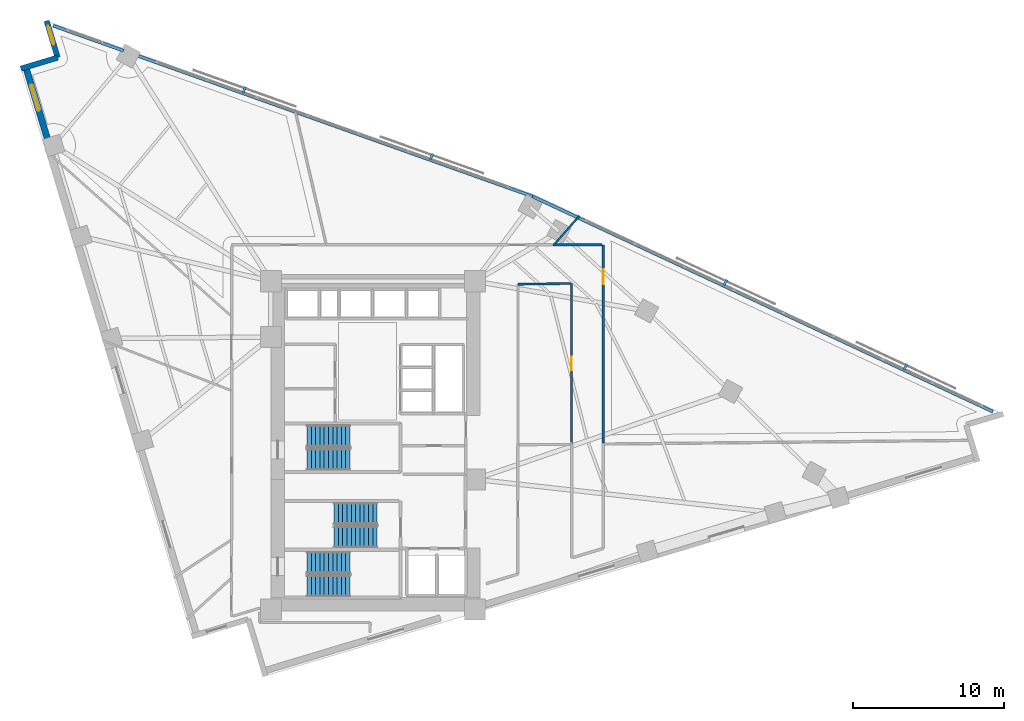
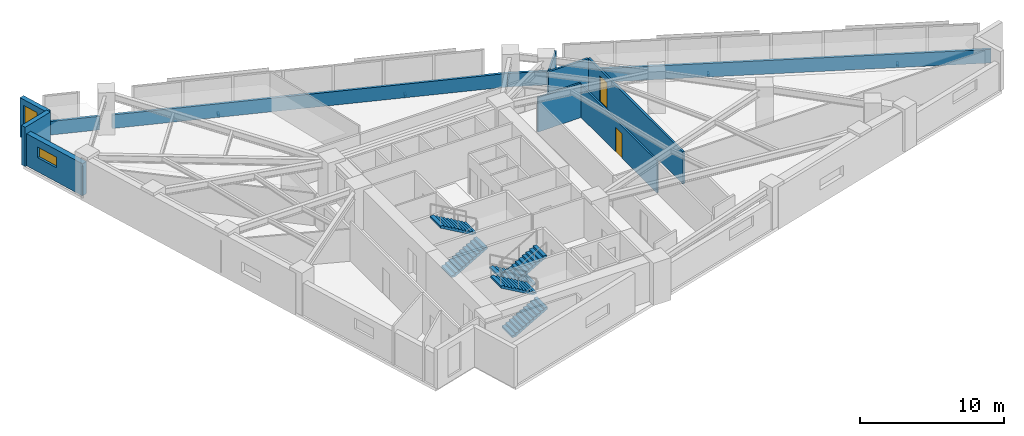
# One storey, part 13 of 15: 11 walls, 6 stair flights, 4 discrete accessories, 2 doors, 2 windows, 4 openings, 3 elements without a shape of their own.
"""IFC4 building model written with IfcOpenShell, lengths in metres."""

from ifc_helpers import new_model, si_unit, direction, frame, frame_2d, origin, origin_2d, place, context, subcontext, project, spatial, polyline, rectangle, outline, extrude, material, layer, layer_set, type_object, element, fill, aggregate, save


model = new_model("IFC4")

# Units and contexts
model_context = context("Model", 3, precision=1e-05, world=origin(), true_north=direction((0.0, 1.0)))
body_context = subcontext(model_context, "Body", "Model", "MODEL_VIEW")
ifc_project = project(units=[si_unit("LENGTHUNIT", "METRE"), si_unit("AREAUNIT", "SQUARE_METRE"), si_unit("VOLUMEUNIT", "CUBIC_METRE"), si_unit("PLANEANGLEUNIT", "RADIAN"), si_unit("MASSUNIT", "GRAM", prefix="KILO")], contexts=[model_context])

# Site, building, storey
site_placement = place(None, origin())
site = spatial("IfcSite", under=ifc_project, at=site_placement, CompositionType="ELEMENT")
building_placement = place(site_placement, origin())
building = spatial("IfcBuilding", under=site, at=building_placement, Name="Narakoshi Arena Tower", CompositionType="ELEMENT")
storey_placement = place(building_placement, frame((0.0, 0.0, 157.5)))
storey = spatial("IfcBuildingStorey", under=building, at=storey_placement, Name="L42", CompositionType="ELEMENT", Elevation=157.5)

# Wall, opening, door
ifc_material_1 = material(Name="Gypsum plasterboard fire-rated partition")
ifc_layer_1 = layer(ifc_material_1, 0.1650390625)
ifc_layer_set_1 = layer_set([ifc_layer_1], Name="Gypsum plasterboard fire-rated partition")
wall_type_1 = type_object("IfcWallType", Name="WL-CORR-165", PredefinedType="PARTITIONING", material=ifc_layer_set_1)
wall_1_placement = place(storey_placement, frame((94.061279296875, 45.7509765625, 0.0), z_axis=(0.0, 0.0, 1.0), x_axis=(0.0, 1.0, 0.0)))
wall_1 = element("IfcWall", 1, at=wall_1_placement, inside=storey, type_object=wall_type_1, Name="L42 Corridor Partition 05-1", PredefinedType="PARTITIONING", context=body_context, shape_type="SweptSolid", body=[
    extrude(rectangle(XDim=13.157958984375, YDim=0.1650390625, at=frame_2d((6.5791015625, 0.0))), origin(), (0.0, 0.0, 1.0), 2.72509765625),
])
opening_1_placement = place(wall_1_placement, frame((10.547119140625, 0.0, 0.0)))
opening_1 = element("IfcOpeningElement", 2, at=opening_1_placement, cuts=wall_1, Name="Opening D-06", PredefinedType="OPENING", context=body_context, shape_type="SweptSolid", body=[
    extrude(rectangle(XDim=1.0, YDim=2.199951171875, at=frame_2d((0.5, 1.10009765625))), frame((0.0, 0.092529296875, 0.0), z_axis=(0.0, -1.0, 0.0), x_axis=(1.0, 0.0, 0.0)), (0.0, 0.0, 1.0), 0.18505859375),
])
ifc_material_2 = material(Name="Stained oak solid-core timber", Category="wood")
door_type_1 = type_object("IfcDoorType", Name="DR-OFF-1000", OperationType="NOTDEFINED", PredefinedType="DOOR", material=ifc_material_2)
door_1_placement = place(opening_1_placement, frame((1.0, 0.0, 0.0), z_axis=(0.0, 0.0, 1.0), x_axis=(-1.0, 0.0, 0.0)))
door_1 = element("IfcDoor", 3, at=door_1_placement, inside=storey, type_object=door_type_1, Name="DR-L42-018", OperationType="SINGLE_SWING_RIGHT", OverallHeight=2.199951171875, OverallWidth=1.0, PredefinedType="DOOR", context=body_context, shape_type="SweptSolid", body=[
    extrude(rectangle(XDim=1.0, YDim=2.199951171875, at=frame_2d((0.5, 1.10009765625))), frame((0.0, 0.02490234375, 0.0), z_axis=(0.0, -1.0, 0.0), x_axis=(1.0, 0.0, 0.0)), (0.0, 0.0, 1.0), 0.050048828125),
])
fill(opening_1, door_1)

# Walls
wall_2_placement = place(storey_placement, frame((93.966796875, 58.908935546875, 0.0), z_axis=(0.0, 0.0, 1.0), x_axis=(-1.0, 0.0, 0.0)))
element("IfcWall", 4, at=wall_2_placement, inside=storey, type_object=wall_type_1, Name="L42 Corridor Partition 05-2", PredefinedType="PARTITIONING", context=body_context, shape_type="SweptSolid", body=[
    extrude(rectangle(XDim=3.230224609375, YDim=0.1650390625, at=frame_2d((1.615234375, 0.0))), origin(), (0.0, 0.0, 1.0), 2.72509765625),
])
ifc_material_3 = material(Name="Precast concrete C45/55", Category="concrete")
ifc_layer_2 = layer(ifc_material_3, 0.25)
ifc_layer_set_2 = layer_set([ifc_layer_2], Name="Precast concrete C45/55")
wall_type_2 = type_object("IfcWallType", Name="WL-PARA-250", PredefinedType="PARAPET", material=ifc_layer_set_2)
wall_3_placement = place(storey_placement, frame((119.92578125, 47.843017578125, 0.0), z_axis=(0.0, 0.0, 1.0), x_axis=(-0.905880730846, 0.423532881228, 0.0)))
element("IfcWall", 5, at=wall_3_placement, inside=storey, type_object=wall_type_2, Name="L42 Hypotenuse Sill Upstand Parapet 1-01", PredefinedType="PARAPET", context=body_context, shape_type="SweptSolid", body=[
    extrude(rectangle(XDim=33.74755859375, YDim=0.199951171875, at=frame_2d((16.873779296875, 0.0))), origin(), (0.0, 0.0, 1.0), 1.14990234375),
])
wall_4_placement = place(storey_placement, frame((89.368408203125, 62.13037109375, 0.0), z_axis=(0.0, 0.0, 1.0), x_axis=(-0.942033439765, 0.335518998515, 0.0)))
element("IfcWall", 6, at=wall_4_placement, inside=storey, type_object=wall_type_2, Name="L42 Hypotenuse Sill Upstand Parapet 2-01", PredefinedType="PARAPET", context=body_context, shape_type="SweptSolid", body=[
    extrude(rectangle(XDim=27.969482421875, YDim=0.199951171875, at=frame_2d((13.98486328125, 0.0))), origin(), (0.0, 0.0, 1.0), 1.14990234375),
])
wall_5_placement = place(storey_placement, frame((62.2177734375, 71.800537109375, 0.0), z_axis=(0.0, 0.0, 1.0), x_axis=(-0.942038862895, 0.335503771655, 0.0)))
element("IfcWall", 7, at=wall_5_placement, inside=storey, type_object=wall_type_2, Name="L42 Hypotenuse Sill Upstand Parapet 2-02", PredefinedType="PARAPET", context=body_context, shape_type="SweptSolid", body=[
    extrude(rectangle(XDim=4.941650390625, YDim=0.199951171875, at=frame_2d((2.470703125, 0.0))), origin(), (0.0, 0.0, 1.0), 1.14990234375),
])
ifc_layer_3 = layer(ifc_material_1, 0.125)
ifc_layer_set_3 = layer_set([ifc_layer_3], Name="Gypsum plasterboard fire-rated partition")
wall_type_3 = type_object("IfcWallType", Name="WL-PART-125", PredefinedType="PARTITIONING", material=ifc_layer_set_3)
wall_6_placement = place(storey_placement, frame((90.867919921875, 59.00341796875, 0.0), z_axis=(0.0, 0.0, 1.0), x_axis=(0.659714872629, 0.751515992399, 0.0)))
element("IfcWall", 8, at=wall_6_placement, inside=storey, type_object=wall_type_3, Name="L42 Inter-Room Partition 05-07", PredefinedType="PARTITIONING", context=body_context, shape_type="SweptSolid", body=[
    extrude(rectangle(XDim=2.45458984375, YDim=0.125, at=frame_2d((1.227294921875, 0.0))), origin(), (0.0, 0.0, 1.0), 2.72509765625),
])

# Wall, opening, window
ifc_layer_4 = layer(ifc_material_3, 0.419921875)
ifc_layer_set_4 = layer_set([ifc_layer_4], Name="Precast concrete C45/55")
wall_type_4 = type_object("IfcWallType", Name="WL-POD-420", PredefinedType="SOLIDWALL", material=ifc_layer_set_4)
wall_7_placement = place(storey_placement, frame((55.734130859375, 70.71142578125, 0.0), z_axis=(0.0, 0.0, 1.0), x_axis=(0.288221590884, -0.957563739157, 0.0)))
wall_7 = element("IfcWall", 9, at=wall_7_placement, inside=storey, type_object=wall_type_4, Name="L42 Architectural Concrete Facade Wall LEGB-1", PredefinedType="SOLIDWALL", context=body_context, shape_type="SweptSolid", body=[
    extrude(rectangle(XDim=5.510986328125, YDim=0.419921875, at=frame_2d((2.75537109375, 0.0))), origin(), (0.0, 0.0, 1.0), 2.72509765625),
])
opening_2_placement = place(wall_7_placement, frame((1.223388671875, 0.0, 1.199951171875)))
opening_2 = element("IfcOpeningElement", 10, at=opening_2_placement, cuts=wall_7, Name="Opening WN-02", PredefinedType="OPENING", context=body_context, shape_type="SweptSolid", body=[
    extrude(rectangle(XDim=1.800048828125, YDim=0.89990234375, at=frame_2d((0.89990234375, 0.449951171875))), frame((0.0, 0.219970703125, 0.0), z_axis=(0.0, -1.0, 0.0), x_axis=(1.0, 0.0, 0.0)), (0.0, 0.0, 1.0), 0.43994140625),
])
ifc_material_4 = material(Name="Bronze-tinted low-E laminated glass", Category="glass")
window_type_1 = type_object("IfcWindowType", Name="WIN-SLT-18x09", PartitioningType="SINGLE_PANEL", PredefinedType="WINDOW", material=ifc_material_4)
window_1_placement = place(opening_2_placement, origin())
window_1 = element("IfcWindow", 11, at=window_1_placement, inside=storey, type_object=window_type_1, Name="L42 LEGB1 Horizontal Slot Window 1", OverallHeight=0.89990234375, OverallWidth=1.800048828125, PartitioningType="SINGLE_PANEL", PredefinedType="WINDOW", context=body_context, shape_type="SweptSolid", body=[
    extrude(rectangle(XDim=1.800048828125, YDim=0.89990234375, at=frame_2d((0.89990234375, 0.449951171875))), frame((0.0, 0.030029296875, 0.0), z_axis=(0.0, -1.0, 0.0), x_axis=(1.0, 0.0, 0.0)), (0.0, 0.0, 1.0), 0.06005859375),
])
fill(opening_2, window_1)

wall_8_placement = place(storey_placement, frame((57.107666015625, 73.790283203125, 0.0), z_axis=(0.0, 0.0, 1.0), x_axis=(0.288198985694, -0.957570542908, 0.0)))
wall_8 = element("IfcWall", 12, at=wall_8_placement, inside=storey, type_object=wall_type_4, Name="L42 Re-Entrant Corner Notch Wall NTN-1", PredefinedType="SOLIDWALL", context=body_context, shape_type="SweptSolid", body=[
    extrude(rectangle(XDim=2.552490234375, YDim=0.360107421875, at=frame_2d((1.2763671875, 0.0))), origin(), (0.0, 0.0, 1.0), 3.340087890625),
])
opening_3_placement = place(wall_8_placement, frame((0.340087890625, 0.0, 0.449951171875)))
opening_3 = element("IfcOpeningElement", 13, at=opening_3_placement, cuts=wall_8, Name="Opening WN-06", PredefinedType="OPENING", context=body_context, shape_type="SweptSolid", body=[
    extrude(rectangle(XDim=1.300048828125, YDim=2.39990234375, at=frame_2d((0.64990234375, 1.199951171875))), frame((0.0, 0.18994140625, 0.0), z_axis=(0.0, -1.0, 0.0), x_axis=(1.0, 0.0, 0.0)), (0.0, 0.0, 1.0), 0.380126953125),
])
window_type_2 = type_object("IfcWindowType", Name="WIN-NTC-16x24", PartitioningType="SINGLE_PANEL", PredefinedType="WINDOW", material=ifc_material_4)
window_2_placement = place(opening_3_placement, origin())
window_2 = element("IfcWindow", 14, at=window_2_placement, inside=storey, type_object=window_type_2, Name="L42 Corner Notch Window NTN", OverallHeight=2.39990234375, OverallWidth=1.300048828125, PartitioningType="SINGLE_PANEL", PredefinedType="WINDOW", context=body_context, shape_type="SweptSolid", body=[
    extrude(rectangle(XDim=1.300048828125, YDim=2.39990234375, at=frame_2d((0.64990234375, 1.199951171875))), frame((0.0, 0.030029296875, 0.0), z_axis=(0.0, -1.0, 0.0), x_axis=(1.0, 0.0, 0.0)), (0.0, 0.0, 1.0), 0.06005859375),
])
fill(opening_3, window_2)

# Wall
wall_9_placement = place(storey_placement, frame((57.84326171875, 71.34619140625, 0.0), z_axis=(0.0, 0.0, 1.0), x_axis=(-0.95757848653, -0.288172590882, 0.0)))
element("IfcWall", 15, at=wall_9_placement, inside=storey, type_object=wall_type_4, Name="L42 Re-Entrant Corner Notch Wall NTN-2", PredefinedType="SOLIDWALL", context=body_context, shape_type="SweptSolid", body=[
    extrude(rectangle(XDim=2.552734375, YDim=0.360107421875, at=frame_2d((1.2763671875, 0.0))), origin(), (0.0, 0.0, 1.0), 3.340087890625),
])

# Wall, opening, door
ifc_material_5 = material(Name="Moisture-resistant cement-board partition")
ifc_layer_5 = layer(ifc_material_5, 0.14501953125)
ifc_layer_set_5 = layer_set([ifc_layer_5], Name="Moisture-resistant cement-board partition")
wall_type_5 = type_object("IfcWallType", Name="WL-WET-145", PredefinedType="PARTITIONING", material=ifc_layer_set_5)
wall_10_placement = place(storey_placement, frame((91.961181640625, 56.35009765625, 0.0), z_axis=(0.0, 0.0, 1.0), x_axis=(0.0, -1.0, 0.0)))
wall_10 = element("IfcWall", 16, at=wall_10_placement, inside=storey, type_object=wall_type_5, Name="L42 Corridor Partition 06-1", PredefinedType="PARTITIONING", context=body_context, shape_type="SweptSolid", body=[
    extrude(rectangle(XDim=10.618408203125, YDim=0.14501953125, at=frame_2d((5.30908203125, 0.0))), origin(), (0.0, 0.0, 1.0), 2.72509765625),
])
opening_4_placement = place(wall_10_placement, frame((4.859130859375, 0.0, 0.0)))
opening_4 = element("IfcOpeningElement", 17, at=opening_4_placement, cuts=wall_10, Name="Opening D-08", PredefinedType="OPENING", context=body_context, shape_type="SweptSolid", body=[
    extrude(rectangle(XDim=0.89990234375, YDim=2.10009765625, at=frame_2d((0.449951171875, 1.050048828125))), frame((0.0, 0.08251953125, 0.0), z_axis=(0.0, -1.0, 0.0), x_axis=(1.0, 0.0, 0.0)), (0.0, 0.0, 1.0), 0.1650390625),
])
ifc_material_6 = material(Name="Moisture-resistant laminate timber", Category="wood")
door_type_2 = type_object("IfcDoorType", Name="DR-WC-900", OperationType="NOTDEFINED", PredefinedType="DOOR", material=ifc_material_6)
door_2_placement = place(opening_4_placement, frame((0.89990234375, 0.0, 0.0), z_axis=(0.0, 0.0, 1.0), x_axis=(-1.0, 0.0, 0.0)))
door_2 = element("IfcDoor", 18, at=door_2_placement, inside=storey, type_object=door_type_2, Name="DR-L42-019", OperationType="SINGLE_SWING_LEFT", OverallHeight=2.10009765625, OverallWidth=0.89990234375, PredefinedType="DOOR", context=body_context, shape_type="SweptSolid", body=[
    extrude(rectangle(XDim=0.89990234375, YDim=2.10009765625, at=frame_2d((0.449951171875, 1.050048828125))), frame((0.0, 0.02490234375, 0.0), z_axis=(0.0, -1.0, 0.0), x_axis=(1.0, 0.0, 0.0)), (0.0, 0.0, 1.0), 0.050048828125),
])
fill(opening_4, door_2)

# Wall
wall_11_placement = place(storey_placement, frame((88.39990234375, 56.30029296875, 0.0), z_axis=(0.0, 0.0, 1.0), x_axis=(0.999902381622, 0.013972373706, 0.0)))
element("IfcWall", 19, at=wall_11_placement, inside=storey, type_object=wall_type_5, Name="L42 Corridor Partition 06-3", PredefinedType="PARTITIONING", context=body_context, shape_type="SweptSolid", body=[
    extrude(rectangle(XDim=3.47705078125, YDim=0.14501953125, at=frame_2d((1.738525390625, 0.0))), origin(), (0.0, 0.0, 1.0), 2.925048828125),
])

# Stair, stair flights
ifc_material_7 = material(Name="Concrete C45/55", Category="concrete")
stair_type = type_object("IfcStairType", Name="STR-CORE-360", PredefinedType="TWO_STRAIGHT_RUN_STAIR", material=ifc_material_7)
stair_1_placement = place(storey_placement, origin())
stair_1 = element("IfcStair", 20, at=stair_1_placement, inside=storey, type_object=stair_type, Name="L42 Core Escape Stair ST1", PredefinedType="TWO_STRAIGHT_RUN_STAIR")
stair_flight_type = type_object("IfcStairFlightType", Name="FLT-145-160", PredefinedType="STRAIGHT", material=ifc_material_3)
stair_flight_1_placement = place(storey_placement, frame((74.39990234375, 36.27490234375, 0.0), z_axis=(0.0, 0.0, 1.0), x_axis=(1.0, 0.0, 0.0)))
stair_flight_1 = element("IfcStairFlight", 21, at=stair_flight_1_placement, type_object=stair_flight_type, Name="ST1 flight 1", NumberOfRisers=11, NumberOfTreads=10, PredefinedType="STRAIGHT", RiserHeight=0.163636364, TreadLength=0.285, context=body_context, shape_type="SweptSolid", body=[
    extrude(outline(polyline([(0.0, 0.0), (0.0, 0.16357421875), (0.284912109375, 0.16357421875), (0.284912109375, 0.327392578125), (0.570068359375, 0.327392578125), (0.570068359375, 0.490966796875), (0.85498046875, 0.490966796875), (0.85498046875, 0.654541015625), (1.139892578125, 0.654541015625), (1.139892578125, 0.818115234375), (1.425048828125, 0.818115234375), (1.425048828125, 0.98193359375), (1.7099609375, 0.98193359375), (1.7099609375, 1.1455078125), (1.9951171875, 1.1455078125), (1.9951171875, 1.30908203125), (2.280029296875, 1.30908203125), (2.280029296875, 1.47265625), (2.56494140625, 1.47265625), (2.56494140625, 1.636474609375), (2.85009765625, 1.636474609375), (2.85009765625, 1.800048828125), (2.85009765625, 1.463623046875), (0.301025390625, 0.0), (0.0, 0.0)])), frame((0.0, 0.72509765625, 0.0), z_axis=(0.0, -1.0, 0.0), x_axis=(1.0, 0.0, 0.0)), (0.0, 0.0, 1.0), 1.449951171875),
])
stair_flight_2_placement = place(storey_placement, frame((77.25, 37.824951171875, 1.800048828125), z_axis=(0.0, 0.0, 1.0), x_axis=(-1.0, 0.0, 0.0)))
stair_flight_2 = element("IfcStairFlight", 22, at=stair_flight_2_placement, type_object=stair_flight_type, Name="ST1 flight 2", NumberOfRisers=11, NumberOfTreads=10, PredefinedType="STRAIGHT", RiserHeight=0.163636364, TreadLength=0.285, context=body_context, shape_type="SweptSolid", body=[
    extrude(outline(polyline([(0.0, 0.0), (0.0, 0.16357421875), (0.284912109375, 0.16357421875), (0.284912109375, 0.327392578125), (0.570068359375, 0.327392578125), (0.570068359375, 0.490966796875), (0.85498046875, 0.490966796875), (0.85498046875, 0.654541015625), (1.139892578125, 0.654541015625), (1.139892578125, 0.818115234375), (1.425048828125, 0.818115234375), (1.425048828125, 0.98193359375), (1.7099609375, 0.98193359375), (1.7099609375, 1.1455078125), (1.9951171875, 1.1455078125), (1.9951171875, 1.30908203125), (2.280029296875, 1.30908203125), (2.280029296875, 1.47265625), (2.56494140625, 1.47265625), (2.56494140625, 1.636474609375), (2.85009765625, 1.636474609375), (2.85009765625, 1.800048828125), (2.85009765625, 1.463623046875), (0.301025390625, 0.0), (0.0, 0.0)])), frame((0.0, 0.72509765625, 0.0), z_axis=(0.0, -1.0, 0.0), x_axis=(1.0, 0.0, 0.0)), (0.0, 0.0, 1.0), 1.449951171875),
])
aggregate(stair_1, [stair_flight_1, stair_flight_2])

stair_2_placement = place(storey_placement, origin())
stair_2 = element("IfcStair", 23, at=stair_2_placement, inside=storey, type_object=stair_type, Name="L42 Core Escape Stair ST2", PredefinedType="TWO_STRAIGHT_RUN_STAIR")
stair_flight_3_placement = place(storey_placement, frame((79.050048828125, 41.074951171875, 0.0), z_axis=(0.0, 0.0, 1.0), x_axis=(-1.0, 0.0, 0.0)))
stair_flight_3 = element("IfcStairFlight", 24, at=stair_flight_3_placement, type_object=stair_flight_type, Name="ST2 flight 1", NumberOfRisers=11, NumberOfTreads=10, PredefinedType="STRAIGHT", RiserHeight=0.163636364, TreadLength=0.285, context=body_context, shape_type="SweptSolid", body=[
    extrude(outline(polyline([(0.0, 0.0), (0.0, 0.16357421875), (0.284912109375, 0.16357421875), (0.284912109375, 0.327392578125), (0.570068359375, 0.327392578125), (0.570068359375, 0.490966796875), (0.85498046875, 0.490966796875), (0.85498046875, 0.654541015625), (1.139892578125, 0.654541015625), (1.139892578125, 0.818115234375), (1.425048828125, 0.818115234375), (1.425048828125, 0.98193359375), (1.7099609375, 0.98193359375), (1.7099609375, 1.1455078125), (1.9951171875, 1.1455078125), (1.9951171875, 1.30908203125), (2.280029296875, 1.30908203125), (2.280029296875, 1.47265625), (2.56494140625, 1.47265625), (2.56494140625, 1.636474609375), (2.85009765625, 1.636474609375), (2.85009765625, 1.800048828125), (2.85009765625, 1.463623046875), (0.301025390625, 0.0), (0.0, 0.0)])), frame((0.0, 0.72509765625, 0.0), z_axis=(0.0, -1.0, 0.0), x_axis=(1.0, 0.0, 0.0)), (0.0, 0.0, 1.0), 1.449951171875),
])
stair_flight_4_placement = place(storey_placement, frame((76.199951171875, 39.52490234375, 1.800048828125), z_axis=(0.0, 0.0, 1.0), x_axis=(1.0, 0.0, 0.0)))
stair_flight_4 = element("IfcStairFlight", 25, at=stair_flight_4_placement, type_object=stair_flight_type, Name="ST2 flight 2", NumberOfRisers=11, NumberOfTreads=10, PredefinedType="STRAIGHT", RiserHeight=0.163636364, TreadLength=0.285, context=body_context, shape_type="SweptSolid", body=[
    extrude(outline(polyline([(0.0, 0.0), (0.0, 0.16357421875), (0.284912109375, 0.16357421875), (0.284912109375, 0.327392578125), (0.570068359375, 0.327392578125), (0.570068359375, 0.490966796875), (0.85498046875, 0.490966796875), (0.85498046875, 0.654541015625), (1.139892578125, 0.654541015625), (1.139892578125, 0.818115234375), (1.425048828125, 0.818115234375), (1.425048828125, 0.98193359375), (1.7099609375, 0.98193359375), (1.7099609375, 1.1455078125), (1.9951171875, 1.1455078125), (1.9951171875, 1.30908203125), (2.280029296875, 1.30908203125), (2.280029296875, 1.47265625), (2.56494140625, 1.47265625), (2.56494140625, 1.636474609375), (2.85009765625, 1.636474609375), (2.85009765625, 1.800048828125), (2.85009765625, 1.463623046875), (0.301025390625, 0.0), (0.0, 0.0)])), frame((0.0, 0.72509765625, 0.0), z_axis=(0.0, -1.0, 0.0), x_axis=(1.0, 0.0, 0.0)), (0.0, 0.0, 1.0), 1.449951171875),
])
aggregate(stair_2, [stair_flight_3, stair_flight_4])

stair_3_placement = place(storey_placement, origin())
stair_3 = element("IfcStair", 26, at=stair_3_placement, inside=storey, type_object=stair_type, Name="L42 Core Escape Stair ST3", PredefinedType="TWO_STRAIGHT_RUN_STAIR")
stair_flight_5_placement = place(storey_placement, frame((74.39990234375, 44.675048828125, 0.0), z_axis=(0.0, 0.0, 1.0), x_axis=(1.0, 0.0, 0.0)))
stair_flight_5 = element("IfcStairFlight", 27, at=stair_flight_5_placement, type_object=stair_flight_type, Name="ST3 flight 1", NumberOfRisers=11, NumberOfTreads=10, PredefinedType="STRAIGHT", RiserHeight=0.163636364, TreadLength=0.285, context=body_context, shape_type="SweptSolid", body=[
    extrude(outline(polyline([(0.0, 0.0), (0.0, 0.16357421875), (0.284912109375, 0.16357421875), (0.284912109375, 0.327392578125), (0.570068359375, 0.327392578125), (0.570068359375, 0.490966796875), (0.85498046875, 0.490966796875), (0.85498046875, 0.654541015625), (1.139892578125, 0.654541015625), (1.139892578125, 0.818115234375), (1.425048828125, 0.818115234375), (1.425048828125, 0.98193359375), (1.7099609375, 0.98193359375), (1.7099609375, 1.1455078125), (1.9951171875, 1.1455078125), (1.9951171875, 1.30908203125), (2.280029296875, 1.30908203125), (2.280029296875, 1.47265625), (2.56494140625, 1.47265625), (2.56494140625, 1.636474609375), (2.85009765625, 1.636474609375), (2.85009765625, 1.800048828125), (2.85009765625, 1.463623046875), (0.301025390625, 0.0), (0.0, 0.0)])), frame((0.0, 0.72509765625, 0.0), z_axis=(0.0, -1.0, 0.0), x_axis=(1.0, 0.0, 0.0)), (0.0, 0.0, 1.0), 1.449951171875),
])
stair_flight_6_placement = place(storey_placement, frame((77.25, 46.22509765625, 1.800048828125), z_axis=(0.0, 0.0, 1.0), x_axis=(-1.0, 0.0, 0.0)))
stair_flight_6 = element("IfcStairFlight", 28, at=stair_flight_6_placement, type_object=stair_flight_type, Name="ST3 flight 2", NumberOfRisers=11, NumberOfTreads=10, PredefinedType="STRAIGHT", RiserHeight=0.163636364, TreadLength=0.285, context=body_context, shape_type="SweptSolid", body=[
    extrude(outline(polyline([(0.0, 0.0), (0.0, 0.16357421875), (0.284912109375, 0.16357421875), (0.284912109375, 0.327392578125), (0.570068359375, 0.327392578125), (0.570068359375, 0.490966796875), (0.85498046875, 0.490966796875), (0.85498046875, 0.654541015625), (1.139892578125, 0.654541015625), (1.139892578125, 0.818115234375), (1.425048828125, 0.818115234375), (1.425048828125, 0.98193359375), (1.7099609375, 0.98193359375), (1.7099609375, 1.1455078125), (1.9951171875, 1.1455078125), (1.9951171875, 1.30908203125), (2.280029296875, 1.30908203125), (2.280029296875, 1.47265625), (2.56494140625, 1.47265625), (2.56494140625, 1.636474609375), (2.85009765625, 1.636474609375), (2.85009765625, 1.800048828125), (2.85009765625, 1.463623046875), (0.301025390625, 0.0), (0.0, 0.0)])), frame((0.0, 0.72509765625, 0.0), z_axis=(0.0, -1.0, 0.0), x_axis=(1.0, 0.0, 0.0)), (0.0, 0.0, 1.0), 1.449951171875),
])
aggregate(stair_3, [stair_flight_5, stair_flight_6])

# Discrete accessories
ifc_material_8 = material(Name="Structural steel S355J2", Category="steel")
discrete_accessory_type = type_object("IfcDiscreteAccessoryType", Name="ACC-BRK-SCR", PredefinedType="BRACKET", material=ifc_material_8)
for number, where, z_axis, x_axis, name in (
    (29, (114.129150390625, 50.818115234375, -0.080078125), (0.0, 0.0, 1.0), (-0.9058795101, 0.423535492234, 0.0), "L42 Solar Screen Support Bracket SHD-L42-SCR1-1"),
    (30, (102.17138671875, 56.40869140625, -0.080078125), (0.0, 0.0, 1.0), (-0.9058795101, 0.423535492234, 0.0), "L42 Solar Screen Support Bracket SHD-L42-SCR1-2"),
    (31, (82.66650390625, 64.772216796875, -0.080078125), (0.0, 0.0, 1.0), (-0.942034031554, 0.33551733695, 0.0), "L42 Solar Screen Support Bracket SHD-L42-SCR2-1"),
    (32, (70.231689453125, 69.200927734375, -0.080078125), (0.0, 0.0, 1.0), (-0.942034031554, 0.33551733695, 0.0), "L42 Solar Screen Support Bracket SHD-L42-SCR2-2"),
):
    element("IfcDiscreteAccessory", number, at=place(storey_placement, frame(where, z_axis=z_axis, x_axis=x_axis)), inside=storey, type_object=discrete_accessory_type, Name=name, PredefinedType="BRACKET", context=body_context, shape_type="SweptSolid", body=[
        extrude(rectangle(XDim=0.159912109375, YDim=0.425048828125, at=origin_2d()), origin(), (0.0, 0.0, 1.0), 0.199951171875),
    ])

save(model, "model.ifc")
